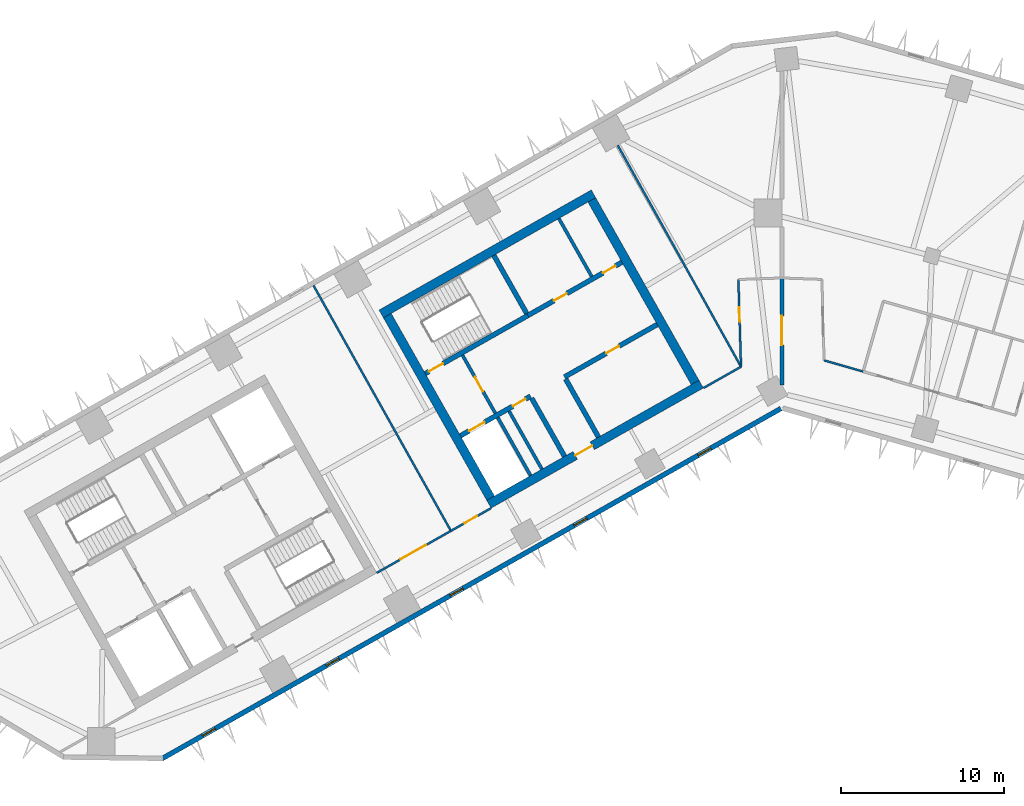
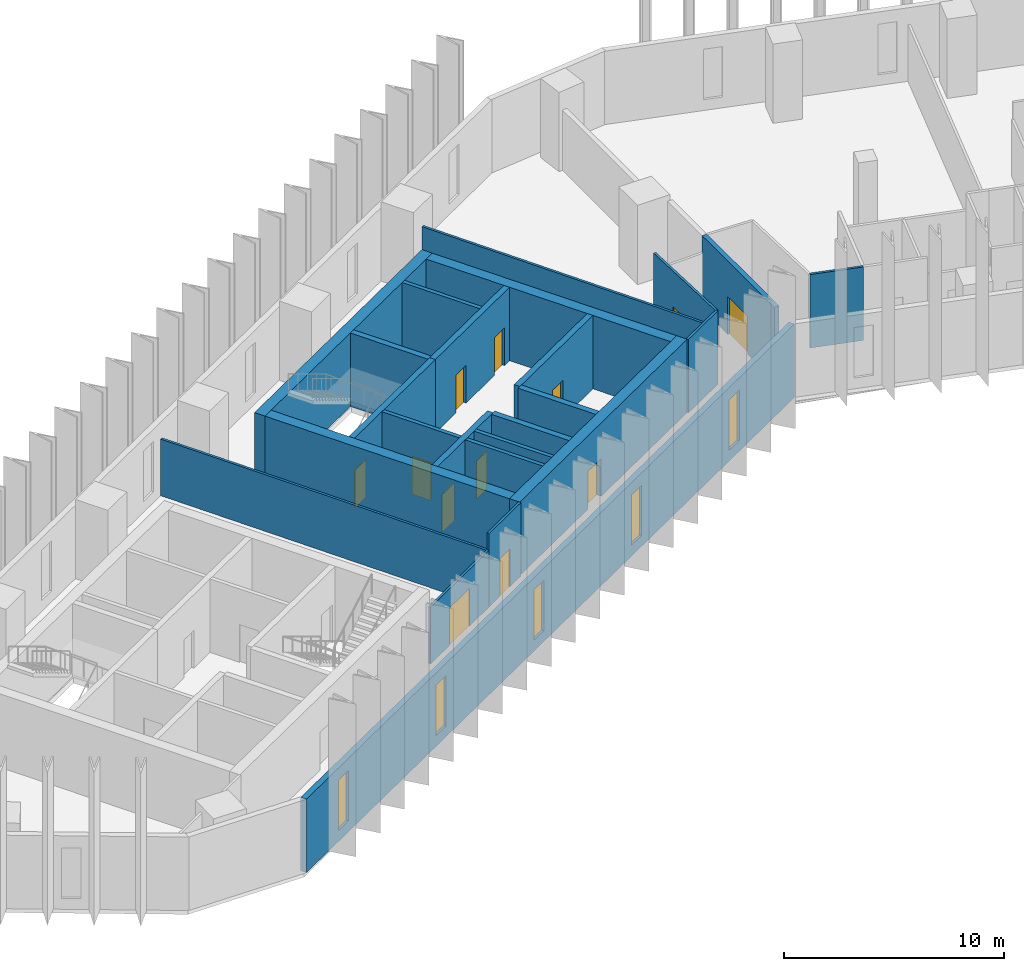
# One storey, part 4 of 11: 24 walls, 12 doors, 5 windows, 17 openings.
"""IFC4 building model written with IfcOpenShell, lengths in metres."""

from ifc_helpers import new_model, si_unit, direction, frame, frame_2d, origin, place, context, subcontext, project, spatial, rectangle, extrude, material, layer, layer_set, type_object, element, fill, save


model = new_model("IFC4")

# Units and contexts
model_context = context("Model", 3, precision=1e-05, world=origin(), true_north=direction((0.0, 1.0)))
body_context = subcontext(model_context, "Body", "Model", "MODEL_VIEW")
ifc_project = project(units=[si_unit("LENGTHUNIT", "METRE"), si_unit("AREAUNIT", "SQUARE_METRE"), si_unit("VOLUMEUNIT", "CUBIC_METRE"), si_unit("PLANEANGLEUNIT", "RADIAN"), si_unit("MASSUNIT", "GRAM", prefix="KILO")], contexts=[model_context])

# Site, building, storey
site_placement = place(None, origin())
site = spatial("IfcSite", under=ifc_project, at=site_placement, CompositionType="ELEMENT")
building_placement = place(site_placement, origin())
building = spatial("IfcBuilding", under=site, at=building_placement, Name="Binnacle Exchange Tower", CompositionType="ELEMENT")
storey_placement = place(building_placement, frame((0.0, 0.0, 105.89990234375)))
storey = spatial("IfcBuildingStorey", under=building, at=storey_placement, Name="L21", CompositionType="ELEMENT", Elevation=105.89990234375)

# Wall
ifc_material_1 = material(Name="Gypsum partition fire rated")
ifc_layer_1 = layer(ifc_material_1, 0.199951171875)
ifc_layer_set_1 = layer_set([ifc_layer_1], Name="Core partition 200")
wall_type_1 = type_object("IfcWallType", Name="Core partition 200", PredefinedType="PARTITIONING", material=ifc_layer_set_1)
wall_1_placement = place(storey_placement, frame((-13.70751953125, 59.655517578125, 0.0), z_axis=(0.0, 0.0, 1.0), x_axis=(0.492428039142, -0.870353161807, 0.0)))
element("IfcWall", 1, at=wall_1_placement, inside=storey, type_object=wall_type_1, Name="Core wall CRWC20", PredefinedType="PARTITIONING", context=body_context, shape_type="SweptSolid", body=[
    extrude(rectangle(XDim=4.10009765625, YDim=0.199951171875, at=frame_2d((2.050048828125, 0.0))), origin(), (0.0, 0.0, 1.0), 4.080078125),
])

# Wall, openings, doors
ifc_material_2 = material(Name="Concrete C70/85", Category="concrete")
ifc_layer_2 = layer(ifc_material_2, 0.300048828125)
ifc_layer_set_2 = layer_set([ifc_layer_2], Name="Core wall - front 300")
wall_type_2 = type_object("IfcWallType", Name="Core wall - front 300", PredefinedType="SOLIDWALL", material=ifc_layer_set_2)
wall_2_placement = place(storey_placement, frame((-19.76171875, 46.291748046875, 0.0), z_axis=(0.0, 0.0, 1.0), x_axis=(0.870359758983, 0.49241637863, 0.0)))
wall_2 = element("IfcWall", 2, at=wall_2_placement, inside=storey, type_object=wall_type_2, Name="Core wall CRWC2", PredefinedType="SOLIDWALL", context=body_context, shape_type="SweptSolid", body=[
    extrude(rectangle(XDim=4.9501953125, YDim=0.300048828125, at=frame_2d((2.47509765625, 0.0))), origin(), (0.0, 0.0, 1.0), 4.080078125),
])
opening_1_placement = place(wall_2_placement, frame((0.60009765625, 0.0, 0.0)))
opening_1 = element("IfcOpeningElement", 3, at=opening_1_placement, cuts=wall_2, Name="Opening LD14", PredefinedType="OPENING", context=body_context, shape_type="SweptSolid", body=[
    extrude(rectangle(XDim=1.10009765625, YDim=2.10009765625, at=frame_2d((0.550048828125, 1.050048828125))), frame((0.0, 0.159912109375, 0.0), z_axis=(0.0, -1.0, 0.0), x_axis=(1.0, 0.0, 0.0)), (0.0, 0.0, 1.0), 0.320068359375),
])
opening_2_placement = place(wall_2_placement, frame((3.699951171875, 0.0, 0.0)))
opening_2 = element("IfcOpeningElement", 4, at=opening_2_placement, cuts=wall_2, Name="Opening DC14", PredefinedType="OPENING", context=body_context, shape_type="SweptSolid", body=[
    extrude(rectangle(XDim=0.89990234375, YDim=2.10009765625, at=frame_2d((0.449951171875, 1.050048828125))), frame((0.0, 0.159912109375, 0.0), z_axis=(0.0, -1.0, 0.0), x_axis=(1.0, 0.0, 0.0)), (0.0, 0.0, 1.0), 0.320068359375),
])
ifc_material_3 = material(Name="Steel door leaf", Category="steel")
door_type_1 = type_object("IfcDoorType", Name="Fire door - lift landing 1100", OperationType="NOTDEFINED", PredefinedType="DOOR", material=ifc_material_3)
door_1_placement = place(opening_1_placement, origin())
door_1 = element("IfcDoor", 5, at=door_1_placement, inside=storey, type_object=door_type_1, Name="Landing door LD14 L21", OperationType="DOUBLE_DOOR_SLIDING", OverallHeight=2.10009765625, OverallWidth=1.10009765625, PredefinedType="DOOR", context=body_context, shape_type="SweptSolid", body=[
    extrude(rectangle(XDim=1.10009765625, YDim=2.10009765625, at=frame_2d((0.550048828125, 1.050048828125))), frame((0.0, 0.02490234375, 0.0), z_axis=(0.0, -1.0, 0.0), x_axis=(1.0, 0.0, 0.0)), (0.0, 0.0, 1.0), 0.050048828125),
])
fill(opening_1, door_1)
door_type_2 = type_object("IfcDoorType", Name="Fire door 900", OperationType="NOTDEFINED", PredefinedType="DOOR", material=ifc_material_3)
door_2_placement = place(opening_2_placement, frame((0.89990234375, 0.0, 0.0), z_axis=(0.0, 0.0, 1.0), x_axis=(-1.0, 0.0, 0.0)))
door_2 = element("IfcDoor", 6, at=door_2_placement, inside=storey, type_object=door_type_2, Name="Core room door IT STORE", OperationType="SINGLE_SWING_LEFT", OverallHeight=2.10009765625, OverallWidth=0.89990234375, PredefinedType="DOOR", context=body_context, shape_type="SweptSolid", body=[
    extrude(rectangle(XDim=0.89990234375, YDim=2.10009765625, at=frame_2d((0.449951171875, 1.050048828125))), frame((0.0, 0.02490234375, 0.0), z_axis=(0.0, -1.0, 0.0), x_axis=(1.0, 0.0, 0.0)), (0.0, 0.0, 1.0), 0.050048828125),
])
fill(opening_2, door_2)

# Wall, opening, door
wall_3_placement = place(storey_placement, frame((-13.364501953125, 49.910888671875, 0.0), z_axis=(0.0, 0.0, 1.0), x_axis=(0.870336435567, 0.492457601144, 0.0)))
wall_3 = element("IfcWall", 7, at=wall_3_placement, inside=storey, type_object=wall_type_2, Name="Core wall CRWC3", PredefinedType="SOLIDWALL", context=body_context, shape_type="SweptSolid", body=[
    extrude(rectangle(XDim=6.550048828125, YDim=0.300048828125, at=frame_2d((3.27490234375, 0.0))), origin(), (0.0, 0.0, 1.0), 4.080078125),
])
opening_3_placement = place(wall_3_placement, frame((2.949951171875, 0.0, 0.0)))
opening_3 = element("IfcOpeningElement", 8, at=opening_3_placement, cuts=wall_3, Name="Opening DC18", PredefinedType="OPENING", context=body_context, shape_type="SweptSolid", body=[
    extrude(rectangle(XDim=0.89990234375, YDim=2.10009765625, at=frame_2d((0.449951171875, 1.050048828125))), frame((0.0, 0.159912109375, 0.0), z_axis=(0.0, -1.0, 0.0), x_axis=(1.0, 0.0, 0.0)), (0.0, 0.0, 1.0), 0.320068359375),
])
door_3_placement = place(opening_3_placement, frame((0.89990234375, 0.0, 0.0), z_axis=(0.0, 0.0, 1.0), x_axis=(-1.0, 0.0, 0.0)))
door_3 = element("IfcDoor", 9, at=door_3_placement, inside=storey, type_object=door_type_2, Name="Core room door STAFF PANTRY AND STORE", OperationType="SINGLE_SWING_LEFT", OverallHeight=2.10009765625, OverallWidth=0.89990234375, PredefinedType="DOOR", context=body_context, shape_type="SweptSolid", body=[
    extrude(rectangle(XDim=0.89990234375, YDim=2.10009765625, at=frame_2d((0.449951171875, 1.050048828125))), frame((0.0, 0.02490234375, 0.0), z_axis=(0.0, -1.0, 0.0), x_axis=(1.0, 0.0, 0.0)), (0.0, 0.0, 1.0), 0.050048828125),
])
fill(opening_3, door_3)

# Wall, openings, doors
wall_4_placement = place(storey_placement, frame((-15.6181640625, 53.69140625, 0.0), z_axis=(0.0, 0.0, 1.0), x_axis=(0.870367894134, 0.492401999246, 0.0)))
wall_4 = element("IfcWall", 10, at=wall_4_placement, inside=storey, type_object=wall_type_2, Name="Core wall CRWC5", PredefinedType="SOLIDWALL", context=body_context, shape_type="SweptSolid", body=[
    extrude(rectangle(XDim=6.64990234375, YDim=0.300048828125, at=frame_2d((3.324951171875, 0.0))), origin(), (0.0, 0.0, 1.0), 4.080078125),
])
opening_4_placement = place(wall_4_placement, frame((1.85009765625, 0.0, 0.0)))
opening_4 = element("IfcOpeningElement", 11, at=opening_4_placement, cuts=wall_4, Name="Opening DC10", PredefinedType="OPENING", context=body_context, shape_type="SweptSolid", body=[
    extrude(rectangle(XDim=0.89990234375, YDim=2.10009765625, at=frame_2d((0.449951171875, 1.050048828125))), frame((0.0, 0.159912109375, 0.0), z_axis=(0.0, -1.0, 0.0), x_axis=(1.0, 0.0, 0.0)), (0.0, 0.0, 1.0), 0.320068359375),
])
opening_5_placement = place(wall_4_placement, frame((5.300048828125, 0.0, 0.0)))
opening_5 = element("IfcOpeningElement", 12, at=opening_5_placement, cuts=wall_4, Name="Opening DC11", PredefinedType="OPENING", context=body_context, shape_type="SweptSolid", body=[
    extrude(rectangle(XDim=0.89990234375, YDim=2.10009765625, at=frame_2d((0.449951171875, 1.050048828125))), frame((0.0, 0.159912109375, 0.0), z_axis=(0.0, -1.0, 0.0), x_axis=(1.0, 0.0, 0.0)), (0.0, 0.0, 1.0), 0.320068359375),
])
door_4_placement = place(opening_4_placement, origin())
door_4 = element("IfcDoor", 13, at=door_4_placement, inside=storey, type_object=door_type_2, Name="Core room door TELECOM RISER ROOM", OperationType="SINGLE_SWING_LEFT", OverallHeight=2.10009765625, OverallWidth=0.89990234375, PredefinedType="DOOR", context=body_context, shape_type="SweptSolid", body=[
    extrude(rectangle(XDim=0.89990234375, YDim=2.10009765625, at=frame_2d((0.449951171875, 1.050048828125))), frame((0.0, 0.02490234375, 0.0), z_axis=(0.0, -1.0, 0.0), x_axis=(1.0, 0.0, 0.0)), (0.0, 0.0, 1.0), 0.050048828125),
])
fill(opening_4, door_4)
door_5_placement = place(opening_5_placement, origin())
door_5 = element("IfcDoor", 14, at=door_5_placement, inside=storey, type_object=door_type_2, Name="Core room door IT STORE", OperationType="SINGLE_SWING_RIGHT", OverallHeight=2.10009765625, OverallWidth=0.89990234375, PredefinedType="DOOR", context=body_context, shape_type="SweptSolid", body=[
    extrude(rectangle(XDim=0.89990234375, YDim=2.10009765625, at=frame_2d((0.449951171875, 1.050048828125))), frame((0.0, 0.02490234375, 0.0), z_axis=(0.0, -1.0, 0.0), x_axis=(1.0, 0.0, 0.0)), (0.0, 0.0, 1.0), 0.050048828125),
])
fill(opening_5, door_5)

# Walls
wall_5_placement = place(storey_placement, frame((-15.37939453125, 48.5986328125, 0.0), z_axis=(0.0, 0.0, 1.0), x_axis=(0.492408451753, -0.87036424366, 0.0)))
element("IfcWall", 15, at=wall_5_placement, inside=storey, type_object=wall_type_2, Name="Core wall CRWC13", PredefinedType="SOLIDWALL", context=body_context, shape_type="SweptSolid", body=[
    extrude(rectangle(XDim=4.099853515625, YDim=0.300048828125, at=frame_2d((2.0498046875, 0.0))), origin(), (0.0, 0.0, 1.0), 4.080078125),
])
wall_6_placement = place(storey_placement, frame((-13.29052734375, 49.780517578125, 0.0), z_axis=(0.0, 0.0, 1.0), x_axis=(0.492382931784, -0.870378681085, 0.0)))
element("IfcWall", 16, at=wall_6_placement, inside=storey, type_object=wall_type_2, Name="Core wall CRWC15", PredefinedType="SOLIDWALL", context=body_context, shape_type="SweptSolid", body=[
    extrude(rectangle(XDim=4.10009765625, YDim=0.300048828125, at=frame_2d((2.050048828125, 0.0))), origin(), (0.0, 0.0, 1.0), 4.080078125),
])

# Wall, opening, door
ifc_layer_3 = layer(ifc_material_2, 0.550048828125)
ifc_layer_set_3 = layer_set([ifc_layer_3], Name="Core wall - outer 550")
wall_type_3 = type_object("IfcWallType", Name="Core wall - outer 550", PredefinedType="SOLIDWALL", material=ifc_layer_set_3)
wall_7_placement = place(storey_placement, frame((-18.01220703125, 42.08251953125, 0.0), z_axis=(0.0, 0.0, 1.0), x_axis=(0.870360574057, 0.492414937962, 0.0)))
wall_7 = element("IfcWall", 17, at=wall_7_placement, inside=storey, type_object=wall_type_3, Name="Core wall CRWC1", PredefinedType="SOLIDWALL", context=body_context, shape_type="SweptSolid", body=[
    extrude(rectangle(XDim=15.0, YDim=0.550048828125, at=frame_2d((7.5, 0.0))), origin(), (0.0, 0.0, 1.0), 4.080078125),
])
opening_6_placement = place(wall_7_placement, frame((6.10009765625, 0.0, 0.0)))
opening_6 = element("IfcOpeningElement", 18, at=opening_6_placement, cuts=wall_7, Name="Opening DC7", PredefinedType="OPENING", context=body_context, shape_type="SweptSolid", body=[
    extrude(rectangle(XDim=1.199951171875, YDim=2.10009765625, at=frame_2d((0.60009765625, 1.050048828125))), frame((0.0, 0.284912109375, 0.0), z_axis=(0.0, -1.0, 0.0), x_axis=(1.0, 0.0, 0.0)), (0.0, 0.0, 1.0), 0.570068359375),
])
door_type_3 = type_object("IfcDoorType", Name="Fire door 1200", OperationType="NOTDEFINED", PredefinedType="DOOR", material=ifc_material_3)
door_6_placement = place(opening_6_placement, frame((1.199951171875, 0.0, 0.0), z_axis=(0.0, 0.0, 1.0), x_axis=(-1.0, 0.0, 0.0)))
door_6 = element("IfcDoor", 19, at=door_6_placement, inside=storey, type_object=door_type_3, Name="Lift lobby entrance door core C", OperationType="SINGLE_SWING_RIGHT", OverallHeight=2.10009765625, OverallWidth=1.199951171875, PredefinedType="DOOR", context=body_context, shape_type="SweptSolid", body=[
    extrude(rectangle(XDim=1.199951171875, YDim=2.10009765625, at=frame_2d((0.60009765625, 1.050048828125))), frame((0.0, 0.02490234375, 0.0), z_axis=(0.0, -1.0, 0.0), x_axis=(1.0, 0.0, 0.0)), (0.0, 0.0, 1.0), 0.050048828125),
])
fill(opening_6, door_6)

# Walls
wall_8_placement = place(storey_placement, frame((-24.63525390625, 53.788818359375, 0.0), z_axis=(0.0, 0.0, 1.0), x_axis=(0.870360574057, 0.492414937962, 0.0)))
element("IfcWall", 20, at=wall_8_placement, inside=storey, type_object=wall_type_3, Name="Core wall CRWC6", PredefinedType="SOLIDWALL", context=body_context, shape_type="SweptSolid", body=[
    extrude(rectangle(XDim=15.0, YDim=0.550048828125, at=frame_2d((7.5, 0.0))), origin(), (0.0, 0.0, 1.0), 4.080078125),
])
for number, where, z_axis, x_axis, name in (
    (21, (-24.260498046875, 53.684814453125, 0.0), (0.0, 0.0, 1.0), (0.492427022044, -0.870353737259, 0.0), "Core wall CRWC7"),
    (22, (-11.683837890625, 60.80029296875, 0.0), (0.0, 0.0, 1.0), (0.492427022044, -0.870353737259, 0.0), "Core wall CRWC24"),
):
    element("IfcWall", number, at=place(storey_placement, frame(where, z_axis=z_axis, x_axis=x_axis)), inside=storey, type_object=wall_type_3, Name=name, PredefinedType="SOLIDWALL", context=body_context, shape_type="SweptSolid", body=[
        extrude(rectangle(XDim=12.89990234375, YDim=0.550048828125, at=frame_2d((6.449951171875, 0.0))), origin(), (0.0, 0.0, 1.0), 4.080078125),
    ])

# Wall, opening, door
ifc_layer_4 = layer(ifc_material_2, 0.300048828125)
ifc_layer_set_4 = layer_set([ifc_layer_4], Name="Core wall - stair 300")
wall_type_4 = type_object("IfcWallType", Name="Core wall - stair 300", PredefinedType="SOLIDWALL", material=ifc_layer_set_4)
wall_9_placement = place(storey_placement, frame((-21.92822265625, 50.12109375, 0.0), z_axis=(0.0, 0.0, 1.0), x_axis=(0.870340732628, 0.49245000673, 0.0)))
wall_9 = element("IfcWall", 23, at=wall_9_placement, inside=storey, type_object=wall_type_4, Name="Core wall CRWC4", PredefinedType="SOLIDWALL", context=body_context, shape_type="SweptSolid", body=[
    extrude(rectangle(XDim=7.25, YDim=0.300048828125, at=frame_2d((3.625, 0.0))), origin(), (0.0, 0.0, 1.0), 4.080078125),
])
opening_7_placement = place(wall_9_placement, frame((0.25, 0.0, 0.0)))
opening_7 = element("IfcOpeningElement", 24, at=opening_7_placement, cuts=wall_9, Name="Opening DC1", PredefinedType="OPENING", context=body_context, shape_type="SweptSolid", body=[
    extrude(rectangle(XDim=1.0, YDim=2.10009765625, at=frame_2d((0.5, 1.050048828125))), frame((0.0, 0.159912109375, 0.0), z_axis=(0.0, -1.0, 0.0), x_axis=(1.0, 0.0, 0.0)), (0.0, 0.0, 1.0), 0.320068359375),
])
door_type_4 = type_object("IfcDoorType", Name="Fire door 1000", OperationType="NOTDEFINED", PredefinedType="DOOR", material=ifc_material_3)
door_7_placement = place(opening_7_placement, origin())
door_7 = element("IfcDoor", 25, at=door_7_placement, inside=storey, type_object=door_type_4, Name="Stair door ST-C1", OperationType="SINGLE_SWING_LEFT", OverallHeight=2.10009765625, OverallWidth=1.0, PredefinedType="DOOR", context=body_context, shape_type="SweptSolid", body=[
    extrude(rectangle(XDim=1.0, YDim=2.10009765625, at=frame_2d((0.5, 1.050048828125))), frame((0.0, 0.02490234375, 0.0), z_axis=(0.0, -1.0, 0.0), x_axis=(1.0, 0.0, 0.0)), (0.0, 0.0, 1.0), 0.050048828125),
])
fill(opening_7, door_7)

# Wall
wall_10_placement = place(storey_placement, frame((-17.7109375, 57.390380859375, 0.0), z_axis=(0.0, 0.0, 1.0), x_axis=(0.492408451753, -0.87036424366, 0.0)))
element("IfcWall", 26, at=wall_10_placement, inside=storey, type_object=wall_type_4, Name="Core wall CRWC14", PredefinedType="SOLIDWALL", context=body_context, shape_type="SweptSolid", body=[
    extrude(rectangle(XDim=4.099853515625, YDim=0.300048828125, at=frame_2d((2.0498046875, 0.0))), origin(), (0.0, 0.0, 1.0), 4.080078125),
])

# Wall, openings, windows
ifc_material_4 = material(Name="Bronze aluminium cladding", Category="aluminium")
ifc_layer_5 = layer(ifc_material_4, 0.300048828125)
ifc_layer_set_5 = layer_set([ifc_layer_5], Name="External wall - spandrel 300")
wall_type_5 = type_object("IfcWallType", Name="External wall - spandrel 300", PredefinedType="STANDARD", material=ifc_layer_set_5)
wall_11_placement = place(storey_placement, frame((-0.0546875, 47.968994140625, 0.0), z_axis=(0.0, 0.0, 1.0), x_axis=(-0.870355730478, -0.492423499058, 0.0)))
wall_11 = element("IfcWall", 27, at=wall_11_placement, inside=storey, type_object=wall_type_5, Name="External wall EW-F07 L21", PredefinedType="STANDARD", context=body_context, shape_type="SweptSolid", body=[
    extrude(rectangle(XDim=43.750244140625, YDim=0.300048828125, at=frame_2d((21.875, 0.0))), origin(), (0.0, 0.0, 1.0), 4.080078125),
])
opening_8_placement = place(wall_11_placement, frame((39.976806640625, 0.0, 0.60009765625)))
opening_8 = element("IfcOpeningElement", 28, at=opening_8_placement, cuts=wall_11, Name="Opening WS2", PredefinedType="OPENING", context=body_context, shape_type="SweptSolid", body=[
    extrude(rectangle(XDim=0.89990234375, YDim=2.800048828125, at=frame_2d((0.449951171875, 1.39990234375))), frame((0.0, 0.159912109375, 0.0), z_axis=(0.0, -1.0, 0.0), x_axis=(1.0, 0.0, 0.0)), (0.0, 0.0, 1.0), 0.320068359375),
])
opening_9_placement = place(wall_11_placement, frame((31.222412109375, 0.0, 0.60009765625)))
opening_9 = element("IfcOpeningElement", 29, at=opening_9_placement, cuts=wall_11, Name="Opening WS2", PredefinedType="OPENING", context=body_context, shape_type="SweptSolid", body=[
    extrude(rectangle(XDim=0.89990234375, YDim=2.800048828125, at=frame_2d((0.449951171875, 1.39990234375))), frame((0.0, 0.159912109375, 0.0), z_axis=(0.0, -1.0, 0.0), x_axis=(1.0, 0.0, 0.0)), (0.0, 0.0, 1.0), 0.320068359375),
])
opening_10_placement = place(wall_11_placement, frame((22.4677734375, 0.0, 0.60009765625)))
opening_10 = element("IfcOpeningElement", 30, at=opening_10_placement, cuts=wall_11, Name="Opening WS2", PredefinedType="OPENING", context=body_context, shape_type="SweptSolid", body=[
    extrude(rectangle(XDim=0.89990234375, YDim=2.800048828125, at=frame_2d((0.449951171875, 1.39990234375))), frame((0.0, 0.159912109375, 0.0), z_axis=(0.0, -1.0, 0.0), x_axis=(1.0, 0.0, 0.0)), (0.0, 0.0, 1.0), 0.320068359375),
])
opening_11_placement = place(wall_11_placement, frame((13.713134765625, 0.0, 0.60009765625)))
opening_11 = element("IfcOpeningElement", 31, at=opening_11_placement, cuts=wall_11, Name="Opening WS2", PredefinedType="OPENING", context=body_context, shape_type="SweptSolid", body=[
    extrude(rectangle(XDim=0.89990234375, YDim=2.800048828125, at=frame_2d((0.449951171875, 1.39990234375))), frame((0.0, 0.159912109375, 0.0), z_axis=(0.0, -1.0, 0.0), x_axis=(1.0, 0.0, 0.0)), (0.0, 0.0, 1.0), 0.320068359375),
])
opening_12_placement = place(wall_11_placement, frame((4.958740234375, 0.0, 0.60009765625)))
opening_12 = element("IfcOpeningElement", 32, at=opening_12_placement, cuts=wall_11, Name="Opening WS2", PredefinedType="OPENING", context=body_context, shape_type="SweptSolid", body=[
    extrude(rectangle(XDim=0.89990234375, YDim=2.800048828125, at=frame_2d((0.449951171875, 1.39990234375))), frame((0.0, 0.159912109375, 0.0), z_axis=(0.0, -1.0, 0.0), x_axis=(1.0, 0.0, 0.0)), (0.0, 0.0, 1.0), 0.320068359375),
])
ifc_material_5 = material(Name="Bronze anodised aluminium frame", Category="aluminium")
window_type = type_object("IfcWindowType", Name="WS2 WINDOW 900x2800", PartitioningType="SINGLE_PANEL", PredefinedType="WINDOW", material=ifc_material_5)
window_1_placement = place(opening_8_placement, origin())
window_1 = element("IfcWindow", 33, at=window_1_placement, inside=storey, type_object=window_type, Name="Window WS2 L21", OverallHeight=2.800048828125, OverallWidth=0.89990234375, PartitioningType="SINGLE_PANEL", PredefinedType="WINDOW", context=body_context, shape_type="SweptSolid", body=[
    extrude(rectangle(XDim=0.89990234375, YDim=2.800048828125, at=frame_2d((0.449951171875, 1.39990234375))), frame((0.0, 0.030029296875, 0.0), z_axis=(0.0, -1.0, 0.0), x_axis=(1.0, 0.0, 0.0)), (0.0, 0.0, 1.0), 0.06005859375),
])
fill(opening_8, window_1)
window_2_placement = place(opening_9_placement, origin())
window_2 = element("IfcWindow", 34, at=window_2_placement, inside=storey, type_object=window_type, Name="Window WS2 L21", OverallHeight=2.800048828125, OverallWidth=0.89990234375, PartitioningType="SINGLE_PANEL", PredefinedType="WINDOW", context=body_context, shape_type="SweptSolid", body=[
    extrude(rectangle(XDim=0.89990234375, YDim=2.800048828125, at=frame_2d((0.449951171875, 1.39990234375))), frame((0.0, 0.030029296875, 0.0), z_axis=(0.0, -1.0, 0.0), x_axis=(1.0, 0.0, 0.0)), (0.0, 0.0, 1.0), 0.06005859375),
])
fill(opening_9, window_2)
window_3_placement = place(opening_10_placement, origin())
window_3 = element("IfcWindow", 35, at=window_3_placement, inside=storey, type_object=window_type, Name="Window WS2 L21", OverallHeight=2.800048828125, OverallWidth=0.89990234375, PartitioningType="SINGLE_PANEL", PredefinedType="WINDOW", context=body_context, shape_type="SweptSolid", body=[
    extrude(rectangle(XDim=0.89990234375, YDim=2.800048828125, at=frame_2d((0.449951171875, 1.39990234375))), frame((0.0, 0.030029296875, 0.0), z_axis=(0.0, -1.0, 0.0), x_axis=(1.0, 0.0, 0.0)), (0.0, 0.0, 1.0), 0.06005859375),
])
fill(opening_10, window_3)
window_4_placement = place(opening_11_placement, origin())
window_4 = element("IfcWindow", 36, at=window_4_placement, inside=storey, type_object=window_type, Name="Window WS2 L21", OverallHeight=2.800048828125, OverallWidth=0.89990234375, PartitioningType="SINGLE_PANEL", PredefinedType="WINDOW", context=body_context, shape_type="SweptSolid", body=[
    extrude(rectangle(XDim=0.89990234375, YDim=2.800048828125, at=frame_2d((0.449951171875, 1.39990234375))), frame((0.0, 0.030029296875, 0.0), z_axis=(0.0, -1.0, 0.0), x_axis=(1.0, 0.0, 0.0)), (0.0, 0.0, 1.0), 0.06005859375),
])
fill(opening_11, window_4)
window_5_placement = place(opening_12_placement, origin())
window_5 = element("IfcWindow", 37, at=window_5_placement, inside=storey, type_object=window_type, Name="Window WS2 L21", OverallHeight=2.800048828125, OverallWidth=0.89990234375, PartitioningType="SINGLE_PANEL", PredefinedType="WINDOW", context=body_context, shape_type="SweptSolid", body=[
    extrude(rectangle(XDim=0.89990234375, YDim=2.800048828125, at=frame_2d((0.449951171875, 1.39990234375))), frame((0.0, 0.030029296875, 0.0), z_axis=(0.0, -1.0, 0.0), x_axis=(1.0, 0.0, 0.0)), (0.0, 0.0, 1.0), 0.06005859375),
])
fill(opening_12, window_5)

# Wall, opening, door
ifc_material_6 = material(Name="Concrete fire wall C30/37", Category="concrete")
ifc_layer_6 = layer(ifc_material_6, 0.25)
ifc_layer_set_6 = layer_set([ifc_layer_6], Name="Fire wall - compartment 250")
wall_type_6 = type_object("IfcWallType", Name="Fire wall - compartment 250", PredefinedType="PARTITIONING", material=ifc_layer_set_6)
wall_12_placement = place(storey_placement, frame((0.0, 49.422119140625, 0.0), z_axis=(0.0, 0.0, 1.0), x_axis=(0.0, 1.0, 0.0)))
wall_12 = element("IfcWall", 38, at=wall_12_placement, inside=storey, type_object=wall_type_6, Name="Fire Wall W10", PredefinedType="PARTITIONING", context=body_context, shape_type="SweptSolid", body=[
    extrude(rectangle(XDim=6.577880859375, YDim=0.25, at=frame_2d((3.2890625, 0.0))), origin(), (0.0, 0.0, 1.0), 4.080078125),
])
opening_13_placement = place(wall_12_placement, frame((2.449951171875, 0.0, 0.0)))
opening_13 = element("IfcOpeningElement", 39, at=opening_13_placement, cuts=wall_12, Name="Opening DL19-13", PredefinedType="OPENING", context=body_context, shape_type="SweptSolid", body=[
    extrude(rectangle(XDim=1.800048828125, YDim=2.10009765625, at=frame_2d((0.89990234375, 1.050048828125))), frame((0.0, 0.135009765625, 0.0), z_axis=(0.0, -1.0, 0.0), x_axis=(1.0, 0.0, 0.0)), (0.0, 0.0, 1.0), 0.27001953125),
])
door_type_5 = type_object("IfcDoorType", Name="Fire door 1800", OperationType="NOTDEFINED", PredefinedType="DOOR", material=ifc_material_3)
door_8_placement = place(opening_13_placement, origin())
door_8 = element("IfcDoor", 40, at=door_8_placement, inside=storey, type_object=door_type_5, Name="Door DL19-13", OperationType="DOUBLE_DOOR_SINGLE_SWING", OverallHeight=2.10009765625, OverallWidth=1.800048828125, PredefinedType="DOOR", context=body_context, shape_type="SweptSolid", body=[
    extrude(rectangle(XDim=1.800048828125, YDim=2.10009765625, at=frame_2d((0.89990234375, 1.050048828125))), frame((0.0, 0.02490234375, 0.0), z_axis=(0.0, -1.0, 0.0), x_axis=(1.0, 0.0, 0.0)), (0.0, 0.0, 1.0), 0.050048828125),
])
fill(opening_13, door_8)

ifc_material_7 = material(Name="Masonry block wall", Category="masonry")
ifc_layer_7 = layer(ifc_material_7, 0.199951171875)
ifc_layer_set_7 = layer_set([ifc_layer_7], Name="Fire wall - vestibule 200")
wall_type_7 = type_object("IfcWallType", Name="Fire wall - vestibule 200", PredefinedType="PARTITIONING", material=ifc_layer_set_7)
wall_13_placement = place(storey_placement, frame((-19.635009765625, 51.246337890625, 0.0), z_axis=(0.0, 0.0, 1.0), x_axis=(0.492408451753, -0.87036424366, 0.0)))
wall_13 = element("IfcWall", 41, at=wall_13_placement, inside=storey, type_object=wall_type_7, Name="Core wall CRWC10", PredefinedType="PARTITIONING", context=body_context, shape_type="SweptSolid", body=[
    extrude(rectangle(XDim=4.099853515625, YDim=0.199951171875, at=frame_2d((2.0498046875, 0.0))), origin(), (0.0, 0.0, 1.0), 4.080078125),
])
opening_14_placement = place(wall_13_placement, frame((1.550048828125, 0.0, 0.0)))
opening_14 = element("IfcOpeningElement", 42, at=opening_14_placement, cuts=wall_13, Name="Opening DC3", PredefinedType="OPENING", context=body_context, shape_type="SweptSolid", body=[
    extrude(rectangle(XDim=1.0, YDim=2.10009765625, at=frame_2d((0.5, 1.050048828125))), frame((0.0, 0.10986328125, 0.0), z_axis=(0.0, -1.0, 0.0), x_axis=(1.0, 0.0, 0.0)), (0.0, 0.0, 1.0), 0.219970703125),
])
door_9_placement = place(opening_14_placement, frame((1.0, 0.0, 0.0), z_axis=(0.0, 0.0, 1.0), x_axis=(-1.0, 0.0, 0.0)))
door_9 = element("IfcDoor", 43, at=door_9_placement, inside=storey, type_object=door_type_4, Name="Vestibule door VEST-W", OperationType="SINGLE_SWING_RIGHT", OverallHeight=2.10009765625, OverallWidth=1.0, PredefinedType="DOOR", context=body_context, shape_type="SweptSolid", body=[
    extrude(rectangle(XDim=1.0, YDim=2.10009765625, at=frame_2d((0.5, 1.050048828125))), frame((0.0, 0.02490234375, 0.0), z_axis=(0.0, -1.0, 0.0), x_axis=(1.0, 0.0, 0.0)), (0.0, 0.0, 1.0), 0.050048828125),
])
fill(opening_14, door_9)

# Wall
ifc_material_8 = material(Name="Gypsum partition")
ifc_layer_8 = layer(ifc_material_8, 0.125)
ifc_layer_set_8 = layer_set([ifc_layer_8], Name="Partition 125")
wall_type_8 = type_object("IfcWallType", Name="Partition 125", PredefinedType="PARTITIONING", material=ifc_layer_set_8)
wall_14_placement = place(storey_placement, frame((-28.799072265625, 55.533935546875, 0.0), z_axis=(0.0, 0.0, 1.0), x_axis=(0.488587464104, -0.872514922463, 0.0)))
element("IfcWall", 44, at=wall_14_placement, inside=storey, type_object=wall_type_8, Name="Partition W03", PredefinedType="PARTITIONING", context=body_context, shape_type="SweptSolid", body=[
    extrude(rectangle(XDim=17.294677734375, YDim=0.125, at=frame_2d((8.6474609375, 0.0))), origin(), (0.0, 0.0, 1.0), 3.148193359375),
])

# Wall, opening, door
wall_15_placement = place(storey_placement, frame((-24.9189453125, 37.85888671875, 0.0), z_axis=(0.0, 0.0, 1.0), x_axis=(0.870378311622, 0.492383584879, 0.0)))
wall_15 = element("IfcWall", 45, at=wall_15_placement, inside=storey, type_object=wall_type_8, Name="Partition W04", PredefinedType="PARTITIONING", context=body_context, shape_type="SweptSolid", body=[
    extrude(rectangle(XDim=5.25048828125, YDim=0.125, at=frame_2d((2.625244140625, 0.0))), origin(), (0.0, 0.0, 1.0), 3.148193359375),
])
opening_15_placement = place(wall_15_placement, frame((1.699951171875, 0.0, 0.0)))
opening_15 = element("IfcOpeningElement", 46, at=opening_15_placement, cuts=wall_15, Name="Opening DL19-01", PredefinedType="OPENING", context=body_context, shape_type="SweptSolid", body=[
    extrude(rectangle(XDim=1.800048828125, YDim=2.10009765625, at=frame_2d((0.89990234375, 1.050048828125))), frame((0.0, 0.072509765625, 0.0), z_axis=(0.0, -1.0, 0.0), x_axis=(1.0, 0.0, 0.0)), (0.0, 0.0, 1.0), 0.14501953125),
])
ifc_material_9 = material(Name="Timber door leaf", Category="wood")
door_type_6 = type_object("IfcDoorType", Name="Double door 1800", OperationType="NOTDEFINED", PredefinedType="DOOR", material=ifc_material_9)
door_10_placement = place(opening_15_placement, origin())
door_10 = element("IfcDoor", 47, at=door_10_placement, inside=storey, type_object=door_type_6, Name="Door DL19-01", OperationType="DOUBLE_DOOR_SINGLE_SWING", OverallHeight=2.10009765625, OverallWidth=1.800048828125, PredefinedType="DOOR", context=body_context, shape_type="SweptSolid", body=[
    extrude(rectangle(XDim=1.800048828125, YDim=2.10009765625, at=frame_2d((0.89990234375, 1.050048828125))), frame((0.0, 0.02490234375, 0.0), z_axis=(0.0, -1.0, 0.0), x_axis=(1.0, 0.0, 0.0)), (0.0, 0.0, 1.0), 0.050048828125),
])
fill(opening_15, door_10)

wall_16_placement = place(storey_placement, frame((-20.34912109375, 40.444091796875, 0.0), z_axis=(0.0, 0.0, 1.0), x_axis=(0.87031941539, 0.492487680247, 0.0)))
wall_16 = element("IfcWall", 48, at=wall_16_placement, inside=storey, type_object=wall_type_8, Name="Partition W05", PredefinedType="PARTITIONING", context=body_context, shape_type="SweptSolid", body=[
    extrude(rectangle(XDim=2.840576171875, YDim=0.125, at=frame_2d((1.42041015625, 0.0))), origin(), (0.0, 0.0, 1.0), 4.080078125),
])
opening_16_placement = place(wall_16_placement, frame((0.949951171875, 0.0, 0.0)))
opening_16 = element("IfcOpeningElement", 49, at=opening_16_placement, cuts=wall_16, Name="Opening DL19-02", PredefinedType="OPENING", context=body_context, shape_type="SweptSolid", body=[
    extrude(rectangle(XDim=0.89990234375, YDim=2.10009765625, at=frame_2d((0.449951171875, 1.050048828125))), frame((0.0, 0.072509765625, 0.0), z_axis=(0.0, -1.0, 0.0), x_axis=(1.0, 0.0, 0.0)), (0.0, 0.0, 1.0), 0.14501953125),
])
door_type_7 = type_object("IfcDoorType", Name="Door 900", OperationType="NOTDEFINED", PredefinedType="DOOR", material=ifc_material_9)
door_11_placement = place(opening_16_placement, origin())
door_11 = element("IfcDoor", 50, at=door_11_placement, inside=storey, type_object=door_type_7, Name="Door DL19-02", OperationType="SINGLE_SWING_LEFT", OverallHeight=2.10009765625, OverallWidth=0.89990234375, PredefinedType="DOOR", context=body_context, shape_type="SweptSolid", body=[
    extrude(rectangle(XDim=0.89990234375, YDim=2.10009765625, at=frame_2d((0.449951171875, 1.050048828125))), frame((0.0, 0.02490234375, 0.0), z_axis=(0.0, -1.0, 0.0), x_axis=(1.0, 0.0, 0.0)), (0.0, 0.0, 1.0), 0.050048828125),
])
fill(opening_16, door_11)

# Walls
wall_17_placement = place(storey_placement, frame((-10.087890625, 64.155029296875, 0.0), z_axis=(0.0, 0.0, 1.0), x_axis=(0.486446127767, -0.873710572661, 0.0)))
element("IfcWall", 51, at=wall_17_placement, inside=storey, type_object=wall_type_8, Name="Partition W06", PredefinedType="PARTITIONING", context=body_context, shape_type="SweptSolid", body=[
    extrude(rectangle(XDim=15.583984375, YDim=0.125, at=frame_2d((7.7919921875, 0.0))), origin(), (0.0, 0.0, 1.0), 3.16015625),
])
wall_18_placement = place(storey_placement, frame((-4.821044921875, 49.22998046875, 0.0), z_axis=(0.0, 0.0, 1.0), x_axis=(0.870371217631, 0.492396124598, 0.0)))
element("IfcWall", 52, at=wall_18_placement, inside=storey, type_object=wall_type_8, Name="Partition W07", PredefinedType="PARTITIONING", context=body_context, shape_type="SweptSolid", body=[
    extrude(rectangle(XDim=2.65869140625, YDim=0.125, at=frame_2d((1.329345703125, 0.0))), origin(), (0.0, 0.0, 1.0), 4.080078125),
])

# Wall, opening, door
wall_19_placement = place(storey_placement, frame((-2.669921875, 55.904052734375, 0.0), z_axis=(0.0, 0.0, 1.0), x_axis=(0.030338701418, -0.999539675649, 0.0)))
wall_19 = element("IfcWall", 53, at=wall_19_placement, inside=storey, type_object=wall_type_8, Name="Partition W08", PredefinedType="PARTITIONING", context=body_context, shape_type="SweptSolid", body=[
    extrude(rectangle(XDim=5.367431640625, YDim=0.125, at=frame_2d((2.68359375, 0.0))), origin(), (0.0, 0.0, 1.0), 4.080078125),
])
opening_17_placement = place(wall_19_placement, frame((1.699951171875, 0.0, 0.0)))
opening_17 = element("IfcOpeningElement", 54, at=opening_17_placement, cuts=wall_19, Name="Opening DL19-03", PredefinedType="OPENING", context=body_context, shape_type="SweptSolid", body=[
    extrude(rectangle(XDim=0.89990234375, YDim=2.10009765625, at=frame_2d((0.449951171875, 1.050048828125))), frame((0.0, 0.072509765625, 0.0), z_axis=(0.0, -1.0, 0.0), x_axis=(1.0, 0.0, 0.0)), (0.0, 0.0, 1.0), 0.14501953125),
])
door_12_placement = place(opening_17_placement, frame((0.89990234375, 0.0, 0.0), z_axis=(0.0, 0.0, 1.0), x_axis=(-1.0, 0.0, 0.0)))
door_12 = element("IfcDoor", 55, at=door_12_placement, inside=storey, type_object=door_type_7, Name="Door DL19-03", OperationType="SINGLE_SWING_RIGHT", OverallHeight=2.10009765625, OverallWidth=0.89990234375, PredefinedType="DOOR", context=body_context, shape_type="SweptSolid", body=[
    extrude(rectangle(XDim=0.89990234375, YDim=2.10009765625, at=frame_2d((0.449951171875, 1.050048828125))), frame((0.0, 0.02490234375, 0.0), z_axis=(0.0, -1.0, 0.0), x_axis=(1.0, 0.0, 0.0)), (0.0, 0.0, 1.0), 0.050048828125),
])
fill(opening_17, door_12)

# Walls
wall_20_placement = place(storey_placement, frame((2.60107421875, 50.931884765625, 0.0), z_axis=(0.0, 0.0, 1.0), x_axis=(0.961265528111, -0.275623991092, 0.0)))
element("IfcWall", 56, at=wall_20_placement, inside=storey, type_object=wall_type_8, Name="Partition W15", PredefinedType="PARTITIONING", context=body_context, shape_type="SweptSolid", body=[
    extrude(rectangle(XDim=2.499755859375, YDim=0.125, at=frame_2d((1.25, 0.0))), origin(), (0.0, 0.0, 1.0), 4.080078125),
])
ifc_layer_9 = layer(ifc_material_7, 0.199951171875)
ifc_layer_set_9 = layer_set([ifc_layer_9], Name="Riser wall 200")
wall_type_9 = type_object("IfcWallType", Name="Riser wall 200", PredefinedType="SOLIDWALL", material=ifc_layer_set_9)
wall_21_placement = place(storey_placement, frame((-17.468505859375, 47.416748046875, 0.0), z_axis=(0.0, 0.0, 1.0), x_axis=(0.492453559952, -0.87033872216, 0.0)))
element("IfcWall", 57, at=wall_21_placement, inside=storey, type_object=wall_type_9, Name="Core wall CRWC8", PredefinedType="SOLIDWALL", context=body_context, shape_type="SweptSolid", body=[
    extrude(rectangle(XDim=4.099853515625, YDim=0.199951171875, at=frame_2d((2.0498046875, 0.0))), origin(), (0.0, 0.0, 1.0), 4.080078125),
])
wall_22_placement = place(storey_placement, frame((-16.772216796875, 47.810791015625, 0.0), z_axis=(0.0, 0.0, 1.0), x_axis=(0.492428039142, -0.870353161807, 0.0)))
element("IfcWall", 58, at=wall_22_placement, inside=storey, type_object=wall_type_9, Name="Core wall CRWC11", PredefinedType="SOLIDWALL", context=body_context, shape_type="SweptSolid", body=[
    extrude(rectangle(XDim=4.10009765625, YDim=0.199951171875, at=frame_2d((2.050048828125, 0.0))), origin(), (0.0, 0.0, 1.0), 4.080078125),
])

save(model, "model.ifc")
